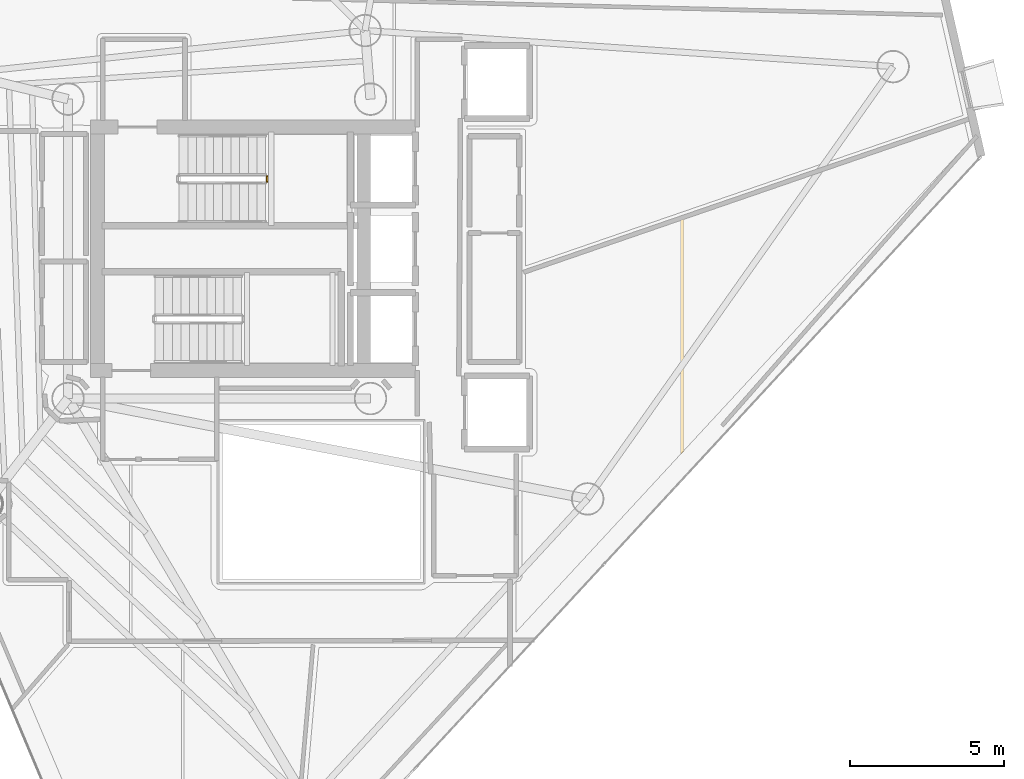
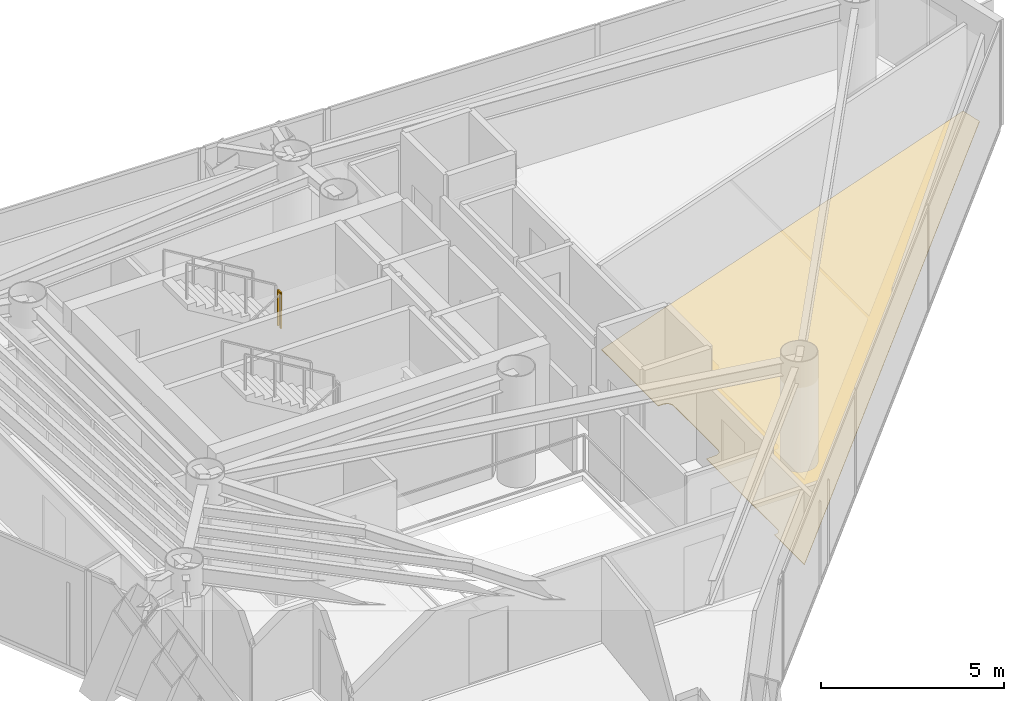
# One storey, part 20 of 21: 1 covering, 1 railing.
"""IFC4 building model written with IfcOpenShell, lengths in metres."""

from ifc_helpers import new_model, si_unit, direction, frame, origin, origin_2d, place, context, subcontext, project, spatial, polyline, rectangle, outline, extrude, material, layer, layer_set, type_object, element, save


model = new_model("IFC4")

# Units and contexts
model_context = context("Model", 3, precision=1e-05, world=origin(), true_north=direction((0.0, 1.0)))
body_context = subcontext(model_context, "Body", "Model", "MODEL_VIEW")
ifc_project = project(units=[si_unit("LENGTHUNIT", "METRE"), si_unit("AREAUNIT", "SQUARE_METRE"), si_unit("VOLUMEUNIT", "CUBIC_METRE"), si_unit("PLANEANGLEUNIT", "RADIAN"), si_unit("MASSUNIT", "GRAM", prefix="KILO")], contexts=[model_context])

# Site, building, storey
site_placement = place(None, origin())
site = spatial("IfcSite", under=ifc_project, at=site_placement, CompositionType="ELEMENT")
building_placement = place(site_placement, origin())
building = spatial("IfcBuilding", under=site, at=building_placement, Name="Qianvela Tower", CompositionType="ELEMENT")
storey_placement = place(building_placement, frame((0.0, 0.0, 246.39990234375)))
storey = spatial("IfcBuildingStorey", under=building, at=storey_placement, Name="L63", CompositionType="ELEMENT", Elevation=246.39990234375)

# Covering
ifc_material_1 = material(Name="Engineered Acoustic Oak Timber Flooring", Category="wood")
ifc_layer = layer(ifc_material_1, 0.02001953125)
ifc_layer_set = layer_set([ifc_layer], Name="Engineered Acoustic Oak Timber Flooring")
covering_type = type_object("IfcCoveringType", Name="COV-FLOOR-OAK-20", PredefinedType="FLOORING", material=ifc_layer_set)
covering_placement = place(storey_placement, origin())
element("IfcCovering", 1, at=covering_placement, inside=storey, type_object=covering_type, Name="L63 Finish Flooring Peer Support Study Room L63-04", PredefinedType="FLOORING", context=body_context, shape_type="SweptSolid", body=[
    extrude(outline(polyline([(43.107421875, 17.924560546875), (43.1923828125, 17.9296875), (43.2001953125, 17.930419921875), (43.207763671875, 17.931884765625), (43.215087890625, 17.934326171875), (43.222412109375, 17.937255859375), (43.229248046875, 17.94091796875), (43.235595703125, 17.9453125), (43.24169921875, 17.9501953125), (43.2470703125, 17.955810546875), (43.251953125, 17.9619140625), (43.25634765625, 17.96826171875), (43.298583984375, 18.038818359375), (43.302001953125, 18.045166015625), (43.304931640625, 18.0517578125), (43.30712890625, 18.05859375), (43.30859375, 18.065673828125), (43.309814453125, 18.07275390625), (43.31005859375, 18.080078125), (43.309326171875, 21.981201171875), (43.621826171875, 21.986083984375), (43.62939453125, 21.986572265625), (43.63720703125, 21.98779296875), (43.64453125, 21.98974609375), (43.651611328125, 21.9921875), (43.658447265625, 21.99560546875), (43.6650390625, 21.99951171875), (43.732666015625, 22.044677734375), (43.739013671875, 22.04931640625), (43.744873046875, 22.0546875), (43.75, 22.060302734375), (43.754638671875, 22.066650390625), (43.7587890625, 22.073486328125), (43.76220703125, 22.08056640625), (43.793212890625, 22.15576171875), (43.7958984375, 22.1630859375), (43.7978515625, 22.170654296875), (43.798828125, 22.178466796875), (43.79931640625, 22.186279296875), (43.79736328125, 24.62744140625), (43.796875, 24.635986328125), (43.79541015625, 24.64453125), (43.793212890625, 24.65283203125), (43.7900390625, 24.660888671875), (43.785888671875, 24.66845703125), (43.7373046875, 24.749267578125), (43.732666015625, 24.75634765625), (43.727294921875, 24.762939453125), (43.72119140625, 24.768798828125), (43.71435546875, 24.77392578125), (43.70703125, 24.778564453125), (43.699462890625, 24.781982421875), (43.624267578125, 24.813232421875), (43.616943359375, 24.81591796875), (43.609375, 24.81787109375), (43.6015625, 24.81884765625), (43.59375, 24.8193359375), (43.423828125, 24.8193359375), (43.423828125, 24.8193359375), (43.426513671875, 24.826904296875), (43.428466796875, 24.83447265625), (43.4296875, 24.84228515625), (43.429931640625, 24.85009765625), (43.429931640625, 27.912841796875), (57.64794921875, 32.808349609375), (57.796630859375, 32.15625), (43.109619140625, 16.277587890625), (43.107421875, 17.924560546875)])), origin(), (0.0, 0.0, 1.0), 0.02001953125),
])

# Railing
ifc_material_2 = material(Name="Painted Tubular Steel Q355B", Category="steel")
railing_type = type_object("IfcRailingType", Name="RL-STAIR-GUARD-1200", PredefinedType="GUARDRAIL", material=ifc_material_2)
railing_placement = place(storey_placement, frame((35.050048828125, 30.889892578125, 1.85009765625)))
element("IfcRailing", 2, at=railing_placement, inside=storey, type_object=railing_type, Name="L63 ST-1 stair guard 2", PredefinedType="GUARDRAIL", context=body_context, shape_type="SweptSolid", body=[
    extrude(rectangle(XDim=0.050048828125, YDim=0.0400390625, at=origin_2d()), frame((0.0, 0.0, 1.179931640625), z_axis=(0.0, 1.0, 0.0), x_axis=(-1.0, 0.0, 0.0)), (0.0, 0.0, 1.0), 0.16015625),
    extrude(rectangle(XDim=0.050048828125, YDim=0.050048828125, at=origin_2d()), origin(), (0.0, 0.0, 1.0), 1.159912109375),
    extrude(rectangle(XDim=0.050048828125, YDim=0.050048828125, at=origin_2d()), frame((0.0, 0.16015625, 0.0)), (0.0, 0.0, 1.0), 1.159912109375),
])

save(model, "model.ifc")
